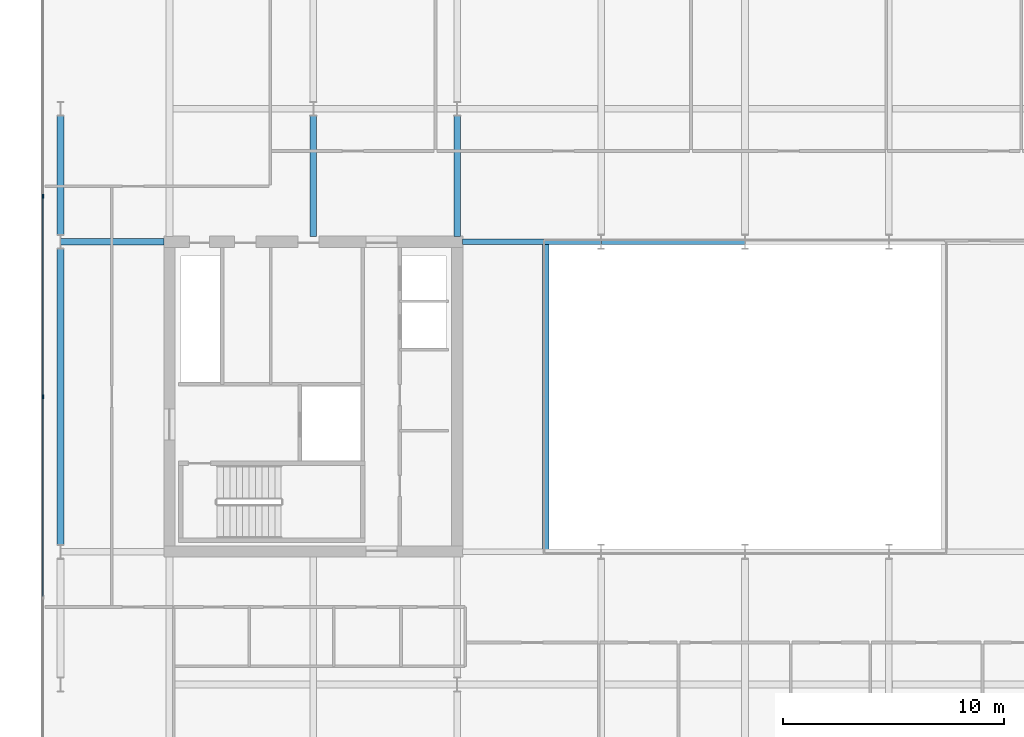
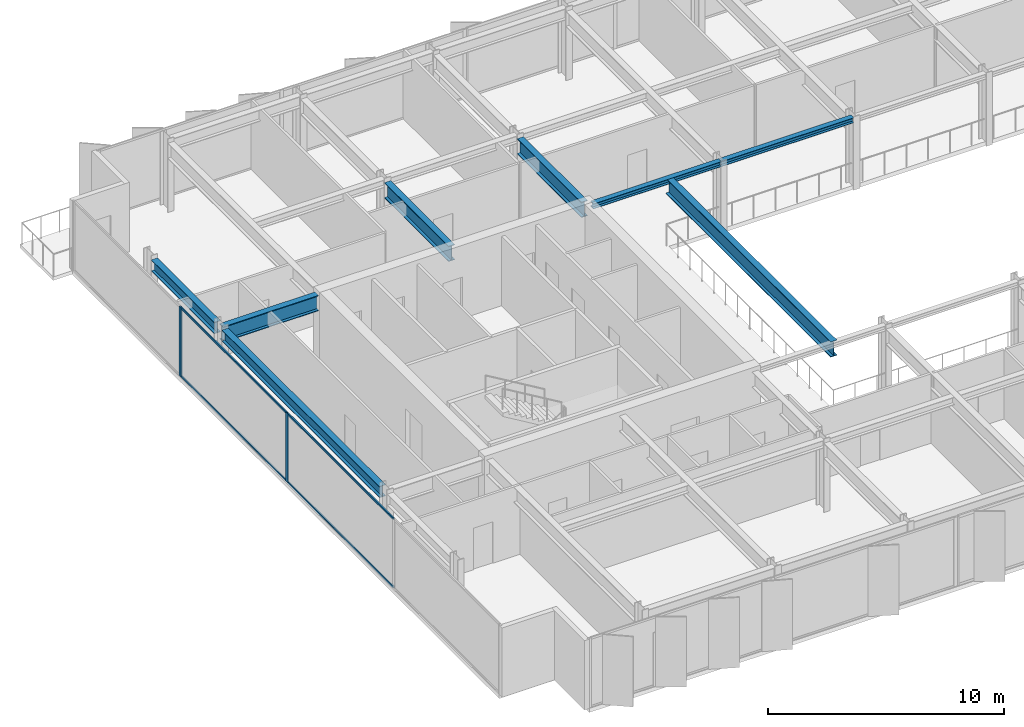
# One storey, part 5 of 20: 8 beams, 6 members, 1 element without a shape of its own.
"""IFC4 building model written with IfcOpenShell, lengths in metres."""

from ifc_helpers import new_model, si_unit, direction, frame, origin, origin_2d, place, context, subcontext, project, spatial, rectangle, i_section, extrude, material, layer, layer_set, material_profile, profile_set, type_object, element, aggregate, save


model = new_model("IFC4")

# Units and contexts
model_context = context("Model", 3, precision=1e-05, world=origin(), true_north=direction((0.0, 1.0)))
body_context = subcontext(model_context, "Body", "Model", "MODEL_VIEW")
ifc_project = project(units=[si_unit("LENGTHUNIT", "METRE"), si_unit("AREAUNIT", "SQUARE_METRE"), si_unit("VOLUMEUNIT", "CUBIC_METRE"), si_unit("PLANEANGLEUNIT", "RADIAN"), si_unit("MASSUNIT", "GRAM", prefix="KILO")], contexts=[model_context])

# Site, building, storey
site_placement = place(None, origin())
site = spatial("IfcSite", under=ifc_project, at=site_placement, CompositionType="ELEMENT")
building_placement = place(site_placement, origin())
building = spatial("IfcBuilding", under=site, at=building_placement, Name="Putna Gate Headquarters", CompositionType="ELEMENT")
storey_placement = place(building_placement, frame((0.0, 0.0, 270.800048828125)))
storey = spatial("IfcBuildingStorey", under=building, at=storey_placement, Name="L68", CompositionType="ELEMENT", Elevation=270.800048828125)

# Beams
ifc_material_1 = material(Name="Steel S355J2", Category="steel")
ifc_material_profile_1 = material_profile(ifc_material_1, i_section(OverallWidth=0.260009765625, OverallDepth=0.260009765625, WebThickness=0.010009765625, FlangeThickness=0.017578125, at=origin_2d()), Name="Steel S355J2")
ifc_profile_set_1 = profile_set([ifc_material_profile_1], Name="Steel S355J2")
beam_type_1 = type_object("IfcBeamType", Name="BM-ATRIUM-HEB260", PredefinedType="BEAM", material=ifc_profile_set_1)
beam_1_placement = place(storey_placement, frame((26.235107421875, 33.0, 3.4580078125), z_axis=(1.0, 0.0, 0.0), x_axis=(0.0, 1.0, 0.0)))
element("IfcBeam", 1, at=beam_1_placement, inside=storey, type_object=beam_type_1, Name="L68 Atrium Edge Beam AN1", PredefinedType="BEAM", context=body_context, shape_type="SweptSolid", body=[
    extrude(i_section(OverallWidth=0.260009765625, OverallDepth=0.260009765625, WebThickness=0.010009765625, FlangeThickness=0.017578125, at=origin_2d()), origin(), (0.0, 0.0, 1.0), 6.2587890625),
])
beam_2_placement = place(storey_placement, frame((32.506103515625, 33.0, 3.4580078125), z_axis=(1.0, 0.0, 0.0), x_axis=(0.0, 1.0, 0.0)))
element("IfcBeam", 2, at=beam_2_placement, inside=storey, type_object=beam_type_1, Name="L68 Atrium Edge Beam AN2", PredefinedType="BEAM", context=body_context, shape_type="SweptSolid", body=[
    extrude(i_section(OverallWidth=0.260009765625, OverallDepth=0.260009765625, WebThickness=0.010009765625, FlangeThickness=0.017578125, at=origin_2d()), origin(), (0.0, 0.0, 1.0), 6.48779296875),
])
ifc_material_profile_2 = material_profile(ifc_material_1, i_section(OverallWidth=0.300048828125, OverallDepth=0.800048828125, WebThickness=0.017578125, FlangeThickness=0.032958984375, at=origin_2d()), Name="Steel S355J2")
ifc_profile_set_2 = profile_set([ifc_material_profile_2], Name="Steel S355J2")
beam_type_2 = type_object("IfcBeamType", Name="BM-GIRD-P-HEB800", PredefinedType="USERDEFINED", material=ifc_profile_set_2)
beam_3_placement = place(storey_placement, frame((8.0859375, 33.0, 3.18798828125), z_axis=(1.0, 0.0, 0.0), x_axis=(0.0, 1.0, 0.0)))
element("IfcBeam", 3, at=beam_3_placement, inside=storey, type_object=beam_type_2, Name="L68 West Wing Girder Y33", ObjectType="GIRDER", PredefinedType="USERDEFINED", context=body_context, shape_type="SweptSolid", body=[
    extrude(i_section(OverallWidth=0.300048828125, OverallDepth=0.800048828125, WebThickness=0.017578125, FlangeThickness=0.032958984375, at=origin_2d()), origin(), (0.0, 0.0, 1.0), 4.678955078125),
])
for number, where, z_axis, x_axis, name in (
    (4, (19.5, 33.235107421875, 3.18798828125), (0.0, 1.0, 0.0), (-1.0, 0.0, 0.0), "L68 North Primary Girder X19-1"),
    (5, (26.0, 33.235107421875, 3.18798828125), (0.0, 1.0, 0.0), (-1.0, 0.0, 0.0), "L68 North Primary Girder X26-1"),
):
    element("IfcBeam", number, at=place(storey_placement, frame(where, z_axis=z_axis, x_axis=x_axis)), inside=storey, type_object=beam_type_2, Name=name, ObjectType="GIRDER", PredefinedType="USERDEFINED", context=body_context, shape_type="SweptSolid", body=[
        extrude(i_section(OverallWidth=0.300048828125, OverallDepth=0.800048828125, WebThickness=0.017578125, FlangeThickness=0.032958984375, at=origin_2d()), origin(), (0.0, 0.0, 1.0), 5.44287109375),
    ])
beam_4_placement = place(storey_placement, frame((30.0, 19.010009765625, 3.18798828125), z_axis=(0.0, 1.0, 0.0), x_axis=(-1.0, 0.0, 0.0)))
element("IfcBeam", 6, at=beam_4_placement, inside=storey, type_object=beam_type_2, Name="L68 Atrium Trim Girder AW", ObjectType="GIRDER", PredefinedType="USERDEFINED", context=body_context, shape_type="SweptSolid", body=[
    extrude(i_section(OverallWidth=0.300048828125, OverallDepth=0.800048828125, WebThickness=0.017578125, FlangeThickness=0.032958984375, at=origin_2d()), origin(), (0.0, 0.0, 1.0), 13.97998046875),
])
ifc_material_profile_3 = material_profile(ifc_material_1, i_section(OverallWidth=0.300048828125, OverallDepth=0.590087890625, WebThickness=0.012939453125, FlangeThickness=0.02490234375, at=origin_2d()), Name="Steel S355J2")
ifc_profile_set_3 = profile_set([ifc_material_profile_3], Name="Steel S355J2")
beam_type_3 = type_object("IfcBeamType", Name="BM-SPAN-Z4-HEA600", PredefinedType="SPANDREL", material=ifc_profile_set_3)
beam_5_placement = place(storey_placement, frame((8.080078125, 19.322021484375, 3.29296875), z_axis=(0.0, 1.0, 0.0), x_axis=(-1.0, 0.0, 0.0)))
element("IfcBeam", 7, at=beam_5_placement, inside=storey, type_object=beam_type_3, Name="L68 W End Spandrel 2", PredefinedType="SPANDREL", context=body_context, shape_type="SweptSolid", body=[
    extrude(i_section(OverallWidth=0.300048828125, OverallDepth=0.590087890625, WebThickness=0.012939453125, FlangeThickness=0.02490234375, at=origin_2d()), origin(), (0.0, 0.0, 1.0), 13.35595703125),
])
beam_6_placement = place(storey_placement, frame((8.080078125, 33.322021484375, 3.29296875), z_axis=(0.0, 1.0, 0.0), x_axis=(-1.0, 0.0, 0.0)))
element("IfcBeam", 8, at=beam_6_placement, inside=storey, type_object=beam_type_3, Name="L68 W End Spandrel 3", PredefinedType="SPANDREL", context=body_context, shape_type="SweptSolid", body=[
    extrude(i_section(OverallWidth=0.300048828125, OverallDepth=0.590087890625, WebThickness=0.012939453125, FlangeThickness=0.02490234375, at=origin_2d()), origin(), (0.0, 0.0, 1.0), 5.35595703125),
])

# Curtain wall, members
ifc_material_2 = material(Name="Anodised bronze aluminium curtain wall", Category="aluminium")
ifc_layer = layer(ifc_material_2, 0.179931640625)
ifc_layer_set = layer_set([ifc_layer], Name="Anodised bronze aluminium curtain wall")
curtain_wall_type = type_object("IfcCurtainWallType", Name="CW-SYS-Z5", PredefinedType="USERDEFINED", material=ifc_layer_set)
curtain_wall_placement = place(storey_placement, origin())
curtain_wall = element("IfcCurtainWall", 9, at=curtain_wall_placement, inside=storey, type_object=curtain_wall_type, Name="L68 West Curtain Wall", ObjectType="STICK CURTAIN WALL", PredefinedType="USERDEFINED")
ifc_material_3 = material(Name="Anodised bronze aluminium EN AW-6060", Category="aluminium")
ifc_material_profile_4 = material_profile(ifc_material_3, rectangle(XDim=0.070068359375, YDim=0.179931640625, at=origin_2d()), Name="Anodised bronze aluminium EN AW-6060")
ifc_profile_set_4 = profile_set([ifc_material_profile_4], Name="Anodised bronze aluminium EN AW-6060")
member_type_1 = type_object("IfcMemberType", Name="MULL-CWM-5", PredefinedType="MULLION", material=ifc_profile_set_4)
member_1_placement = place(storey_placement, frame((7.280029296875, 26.0, 0.0), z_axis=(0.0, 0.0, 1.0), x_axis=(-1.0, 0.0, 0.0)))
member_1 = element("IfcMember", 10, at=member_1_placement, type_object=member_type_1, Name="CWS-5 mullion 3", PredefinedType="MULLION", context=body_context, shape_type="SweptSolid", body=[
    extrude(rectangle(XDim=0.070068359375, YDim=0.179931640625, at=origin_2d()), origin(), (0.0, 0.0, 1.0), 3.587890625),
])
member_2_placement = place(storey_placement, frame((7.280029296875, 35.050048828125, 0.0), z_axis=(0.0, 0.0, 1.0), x_axis=(-1.0, 0.0, 0.0)))
member_2 = element("IfcMember", 11, at=member_2_placement, type_object=member_type_1, Name="CWS-5 mullion 4", PredefinedType="MULLION", context=body_context, shape_type="SweptSolid", body=[
    extrude(rectangle(XDim=0.070068359375, YDim=0.179931640625, at=origin_2d()), origin(), (0.0, 0.0, 1.0), 3.587890625),
])
ifc_material_profile_5 = material_profile(ifc_material_3, rectangle(XDim=0.06005859375, YDim=0.10009765625, at=origin_2d()), Name="Anodised bronze aluminium EN AW-6060")
ifc_profile_set_5 = profile_set([ifc_material_profile_5], Name="Anodised bronze aluminium EN AW-6060")
member_type_2 = type_object("IfcMemberType", Name="TRAN-CWT-5", PredefinedType="USERDEFINED", material=ifc_profile_set_5)
member_3_placement = place(storey_placement, frame((7.280029296875, 16.985107421875, 0.030029296875), z_axis=(0.0, 1.0, 0.0), x_axis=(-1.0, 0.0, 0.0)))
member_3 = element("IfcMember", 12, at=member_3_placement, type_object=member_type_2, Name="CWS-5 transom 2.1", ObjectType="TRANSOM", PredefinedType="USERDEFINED", context=body_context, shape_type="SweptSolid", body=[
    extrude(rectangle(XDim=0.06005859375, YDim=0.10009765625, at=origin_2d()), origin(), (0.0, 0.0, 1.0), 8.97998046875),
])
member_4_placement = place(storey_placement, frame((7.280029296875, 16.985107421875, 3.557861328125), z_axis=(0.0, 1.0, 0.0), x_axis=(-1.0, 0.0, 0.0)))
member_4 = element("IfcMember", 13, at=member_4_placement, type_object=member_type_2, Name="CWS-5 transom 2.2", ObjectType="TRANSOM", PredefinedType="USERDEFINED", context=body_context, shape_type="SweptSolid", body=[
    extrude(rectangle(XDim=0.06005859375, YDim=0.10009765625, at=origin_2d()), origin(), (0.0, 0.0, 1.0), 8.97998046875),
])
member_5_placement = place(storey_placement, frame((7.280029296875, 26.034912109375, 0.030029296875), z_axis=(0.0, 1.0, 0.0), x_axis=(-1.0, 0.0, 0.0)))
member_5 = element("IfcMember", 14, at=member_5_placement, type_object=member_type_2, Name="CWS-5 transom 3.1", ObjectType="TRANSOM", PredefinedType="USERDEFINED", context=body_context, shape_type="SweptSolid", body=[
    extrude(rectangle(XDim=0.06005859375, YDim=0.10009765625, at=origin_2d()), origin(), (0.0, 0.0, 1.0), 8.97998046875),
])
member_6_placement = place(storey_placement, frame((7.280029296875, 26.034912109375, 3.557861328125), z_axis=(0.0, 1.0, 0.0), x_axis=(-1.0, 0.0, 0.0)))
member_6 = element("IfcMember", 15, at=member_6_placement, type_object=member_type_2, Name="CWS-5 transom 3.2", ObjectType="TRANSOM", PredefinedType="USERDEFINED", context=body_context, shape_type="SweptSolid", body=[
    extrude(rectangle(XDim=0.06005859375, YDim=0.10009765625, at=origin_2d()), origin(), (0.0, 0.0, 1.0), 8.97998046875),
])
aggregate(curtain_wall, [member_1, member_2, member_3, member_4, member_5, member_6])

save(model, "model.ifc")
